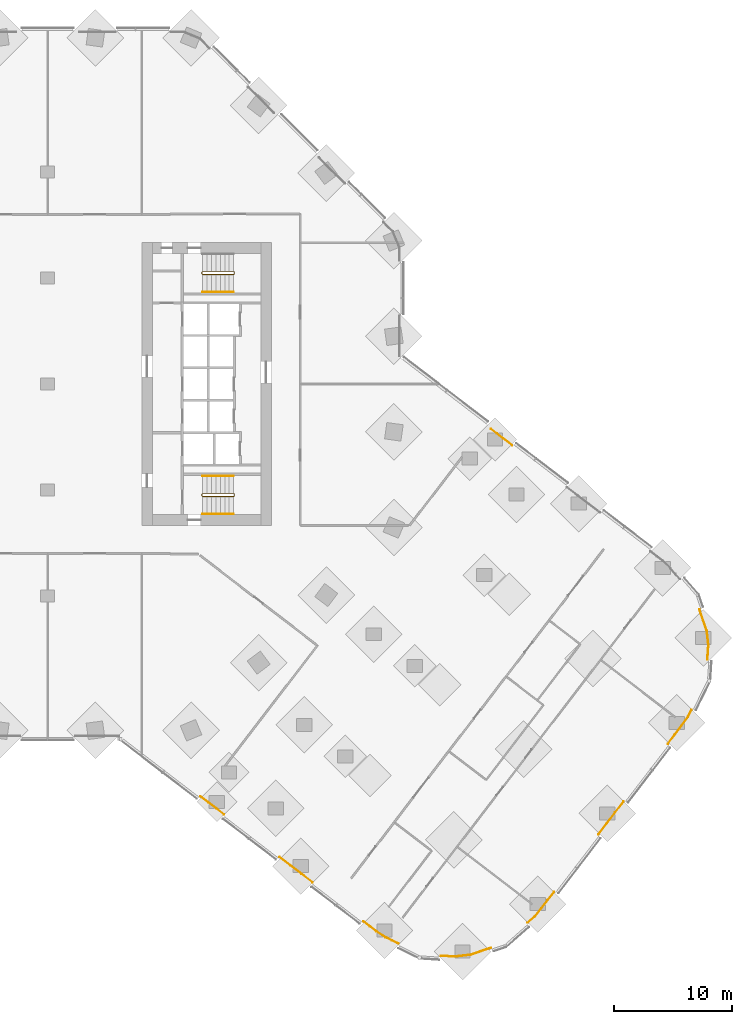
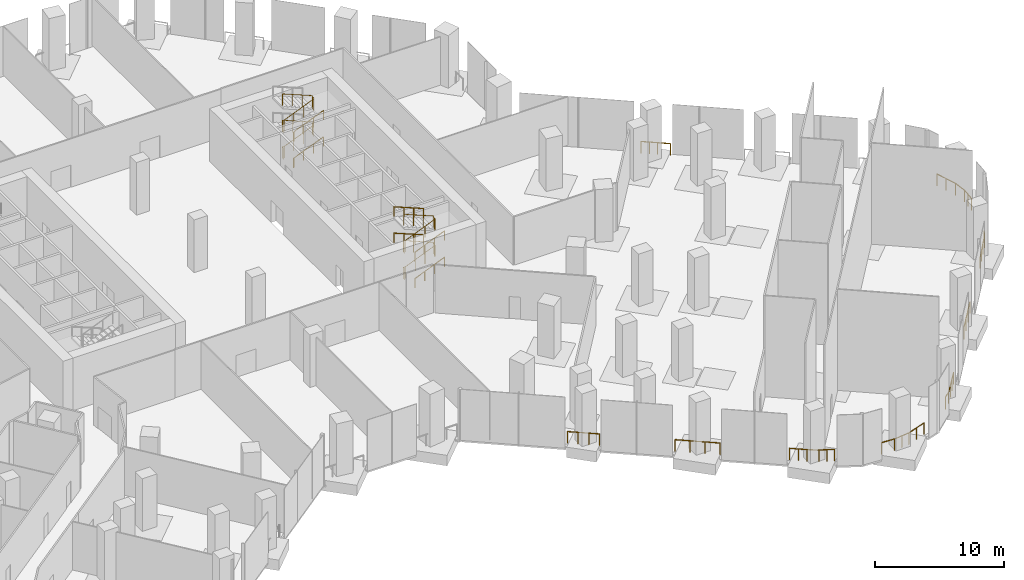
# One storey, part 26 of 27: 18 railings.
"""IFC4 building model written with IfcOpenShell, lengths in metres."""

from ifc_helpers import new_model, si_unit, direction, frame, origin, origin_2d, place, context, subcontext, project, spatial, circle, extrude, material, type_object, element, save


model = new_model("IFC4")

# Units and contexts
model_context = context("Model", 3, precision=1e-05, world=origin(), true_north=direction((0.0, 1.0)))
body_context = subcontext(model_context, "Body", "Model", "MODEL_VIEW")
ifc_project = project(units=[si_unit("LENGTHUNIT", "METRE"), si_unit("AREAUNIT", "SQUARE_METRE"), si_unit("VOLUMEUNIT", "CUBIC_METRE"), si_unit("PLANEANGLEUNIT", "RADIAN"), si_unit("MASSUNIT", "GRAM", prefix="KILO")], contexts=[model_context])

# Site, building, storey
site_placement = place(None, origin())
site = spatial("IfcSite", under=ifc_project, at=site_placement, CompositionType="ELEMENT")
building_placement = place(site_placement, origin())
building = spatial("IfcBuilding", under=site, at=building_placement, Name="Orlundy Tower", CompositionType="ELEMENT")
storey_placement = place(building_placement, frame((0.0, 0.0, 10.5)))
storey = spatial("IfcBuildingStorey", under=building, at=storey_placement, Name="L01", CompositionType="ELEMENT", Elevation=10.5)

# Railings
ifc_material_1 = material(Name="Steel balustrade", Category="steel")
railing_type_1 = type_object("IfcRailingType", Name="Stair Guard 1100", PredefinedType="GUARDRAIL", material=ifc_material_1)
railing_1_placement = place(storey_placement, frame((13.090087890625, -9.5, 0.0)))
element("IfcRailing", 1, at=railing_1_placement, inside=storey, type_object=railing_type_1, Name="L01 ST-E1 stair guard 1", PredefinedType="GUARDRAIL", context=body_context, shape_type="SweptSolid", body=[
    extrude(circle(Radius=0.02392578125, at=origin_2d()), frame((0.0, 0.0, 1.076171875), z_axis=(0.0, 1.0, 0.0), x_axis=(-1.0, 0.0, 0.0)), (0.0, 0.0, 1.0), 0.14990234375),
    extrude(circle(Radius=0.02392578125, at=origin_2d()), frame((0.0, 0.14990234375, 1.076171875), z_axis=(0.192591976565, -0.773200141208, 0.604210122556), x_axis=(0.970351222016, 0.241699205484, 0.0)), (0.0, 0.0, 1.0), 0.258544921875),
    extrude(circle(Radius=0.02392578125, at=origin_2d()), frame((0.0498046875, -0.050048828125, 1.232421875), z_axis=(0.924874861033, 0.0, 0.380271602187), x_axis=(0.0, 1.0, 0.0)), (0.0, 0.0, 1.0), 2.876220703125),
    extrude(circle(Radius=0.02392578125, at=origin_2d()), frame((2.7099609375, -0.050048828125, 2.326171875), z_axis=(0.707106781187, 0.707106781187, 0.0), x_axis=(-0.707106781187, 0.707106781187, 0.0)), (0.0, 0.0, 1.0), 0.07080078125),
    extrude(circle(Radius=0.02392578125, at=origin_2d()), frame((2.760009765625, 0.0, 2.326171875), z_axis=(0.0, 1.0, 0.0), x_axis=(-1.0, 0.0, 0.0)), (0.0, 0.0, 1.0), 0.14990234375),
    extrude(circle(Radius=0.02392578125, at=origin_2d()), frame((2.760009765625, 0.14990234375, 2.326171875), z_axis=(-0.29177245553, 0.29177245553, 0.91089937336), x_axis=(-0.707106781187, -0.707106781187, 0.0)), (0.0, 0.0, 1.0), 0.171630859375),
    extrude(circle(Radius=0.02392578125, at=origin_2d()), frame((2.7099609375, 0.199951171875, 2.482421875), z_axis=(-0.924874861033, 0.0, 0.380271602187), x_axis=(0.0, -1.0, 0.0)), (0.0, 0.0, 1.0), 2.876220703125),
    extrude(circle(Radius=0.02392578125, at=origin_2d()), frame((0.0498046875, 0.199951171875, 3.576171875), z_axis=(-0.241699205484, -0.970351222016, 0.0), x_axis=(0.970351222016, -0.241699205484, 0.0)), (0.0, 0.0, 1.0), 0.2060546875),
    extrude(circle(Radius=0.02392578125, at=origin_2d()), frame((0.0, 0.0, 3.576171875), z_axis=(0.0, 1.0, 0.0), x_axis=(-1.0, 0.0, 0.0)), (0.0, 0.0, 1.0), 0.14990234375),
    extrude(circle(Radius=0.02392578125, at=origin_2d()), frame((0.0, 0.14990234375, 3.576171875), z_axis=(0.192591976565, -0.773200141208, 0.604210122556), x_axis=(0.970351222016, 0.241699205484, 0.0)), (0.0, 0.0, 1.0), 0.258544921875),
    extrude(circle(Radius=0.02392578125, at=origin_2d()), frame((0.0498046875, -0.050048828125, 3.732421875), z_axis=(0.924874861033, 0.0, 0.380271602187), x_axis=(0.0, 1.0, 0.0)), (0.0, 0.0, 1.0), 2.876220703125),
    extrude(circle(Radius=0.02392578125, at=origin_2d()), frame((2.7099609375, -0.050048828125, 4.826171875), z_axis=(0.707106781187, 0.707106781187, 0.0), x_axis=(-0.707106781187, 0.707106781187, 0.0)), (0.0, 0.0, 1.0), 0.07080078125),
    extrude(circle(Radius=0.02392578125, at=origin_2d()), frame((2.760009765625, 0.0, 4.826171875), z_axis=(0.0, 1.0, 0.0), x_axis=(-1.0, 0.0, 0.0)), (0.0, 0.0, 1.0), 0.14990234375),
    extrude(circle(Radius=0.02392578125, at=origin_2d()), frame((2.760009765625, 0.14990234375, 4.826171875), z_axis=(-0.29177245553, 0.29177245553, 0.91089937336), x_axis=(-0.707106781187, -0.707106781187, 0.0)), (0.0, 0.0, 1.0), 0.171630859375),
    extrude(circle(Radius=0.02392578125, at=origin_2d()), frame((2.7099609375, 0.199951171875, 4.982421875), z_axis=(-0.924874861033, 0.0, 0.380271602187), x_axis=(0.0, -1.0, 0.0)), (0.0, 0.0, 1.0), 2.876220703125),
    extrude(circle(Radius=0.02099609375, at=origin_2d()), origin(), (0.0, 0.0, 1.0), 1.052001953125),
    extrude(circle(Radius=0.02099609375, at=origin_2d()), frame((0.0, 0.14990234375, 0.0)), (0.0, 0.0, 1.0), 1.052001953125),
    extrude(circle(Radius=0.02099609375, at=origin_2d()), frame((0.0498046875, -0.050048828125, 0.15625)), (0.0, 0.0, 1.0), 1.052001953125),
    extrude(circle(Radius=0.02099609375, at=origin_2d()), frame((0.9365234375, -0.050048828125, 0.520751953125)), (0.0, 0.0, 1.0), 1.052001953125),
    extrude(circle(Radius=0.02099609375, at=origin_2d()), frame((1.8232421875, -0.050048828125, 0.885498046875)), (0.0, 0.0, 1.0), 1.052001953125),
    extrude(circle(Radius=0.02099609375, at=origin_2d()), frame((2.7099609375, -0.050048828125, 1.25)), (0.0, 0.0, 1.0), 1.052001953125),
    extrude(circle(Radius=0.02099609375, at=origin_2d()), frame((2.760009765625, 0.0, 1.25)), (0.0, 0.0, 1.0), 1.052001953125),
    extrude(circle(Radius=0.02099609375, at=origin_2d()), frame((2.760009765625, 0.14990234375, 1.25)), (0.0, 0.0, 1.0), 1.052001953125),
    extrude(circle(Radius=0.02099609375, at=origin_2d()), frame((2.7099609375, 0.199951171875, 1.40625)), (0.0, 0.0, 1.0), 1.052001953125),
    extrude(circle(Radius=0.02099609375, at=origin_2d()), frame((1.8232421875, 0.199951171875, 1.770751953125)), (0.0, 0.0, 1.0), 1.052001953125),
    extrude(circle(Radius=0.02099609375, at=origin_2d()), frame((0.9365234375, 0.199951171875, 2.135498046875)), (0.0, 0.0, 1.0), 1.052001953125),
    extrude(circle(Radius=0.02099609375, at=origin_2d()), frame((0.0498046875, 0.199951171875, 2.5)), (0.0, 0.0, 1.0), 1.052001953125),
    extrude(circle(Radius=0.02099609375, at=origin_2d()), frame((0.0, 0.0, 2.5)), (0.0, 0.0, 1.0), 1.052001953125),
    extrude(circle(Radius=0.02099609375, at=origin_2d()), frame((0.0, 0.14990234375, 2.5)), (0.0, 0.0, 1.0), 1.052001953125),
    extrude(circle(Radius=0.02099609375, at=origin_2d()), frame((0.0498046875, -0.050048828125, 2.65625)), (0.0, 0.0, 1.0), 1.052001953125),
    extrude(circle(Radius=0.02099609375, at=origin_2d()), frame((0.9365234375, -0.050048828125, 3.020751953125)), (0.0, 0.0, 1.0), 1.052001953125),
    extrude(circle(Radius=0.02099609375, at=origin_2d()), frame((1.8232421875, -0.050048828125, 3.385498046875)), (0.0, 0.0, 1.0), 1.052001953125),
    extrude(circle(Radius=0.02099609375, at=origin_2d()), frame((2.7099609375, -0.050048828125, 3.75)), (0.0, 0.0, 1.0), 1.052001953125),
    extrude(circle(Radius=0.02099609375, at=origin_2d()), frame((2.760009765625, 0.0, 3.75)), (0.0, 0.0, 1.0), 1.052001953125),
    extrude(circle(Radius=0.02099609375, at=origin_2d()), frame((2.760009765625, 0.14990234375, 3.75)), (0.0, 0.0, 1.0), 1.052001953125),
    extrude(circle(Radius=0.02099609375, at=origin_2d()), frame((2.7099609375, 0.199951171875, 3.90625)), (0.0, 0.0, 1.0), 1.052001953125),
    extrude(circle(Radius=0.02099609375, at=origin_2d()), frame((1.8232421875, 0.199951171875, 4.270751953125)), (0.0, 0.0, 1.0), 1.052001953125),
    extrude(circle(Radius=0.02099609375, at=origin_2d()), frame((0.9365234375, 0.199951171875, 4.635498046875)), (0.0, 0.0, 1.0), 1.052001953125),
    extrude(circle(Radius=0.02099609375, at=origin_2d()), frame((0.0498046875, 0.199951171875, 5.0)), (0.0, 0.0, 1.0), 1.052001953125),
])
railing_2_placement = place(storey_placement, frame((13.090087890625, 9.35009765625, 0.0)))
element("IfcRailing", 2, at=railing_2_placement, inside=storey, type_object=railing_type_1, Name="L01 ST-E2 stair guard 1", PredefinedType="GUARDRAIL", context=body_context, shape_type="SweptSolid", body=[
    extrude(circle(Radius=0.02392578125, at=origin_2d()), frame((0.0, 0.0, 1.076171875), z_axis=(0.0, 1.0, 0.0), x_axis=(-1.0, 0.0, 0.0)), (0.0, 0.0, 1.0), 0.14990234375),
    extrude(circle(Radius=0.02392578125, at=origin_2d()), frame((0.0, 0.14990234375, 1.076171875), z_axis=(0.192591976565, -0.773200141208, 0.604210122556), x_axis=(0.970351222016, 0.241699205484, 0.0)), (0.0, 0.0, 1.0), 0.258544921875),
    extrude(circle(Radius=0.02392578125, at=origin_2d()), frame((0.0498046875, -0.050048828125, 1.232421875), z_axis=(0.924874861033, 0.0, 0.380271602187), x_axis=(0.0, 1.0, 0.0)), (0.0, 0.0, 1.0), 2.876220703125),
    extrude(circle(Radius=0.02392578125, at=origin_2d()), frame((2.7099609375, -0.050048828125, 2.326171875), z_axis=(0.707106781187, 0.707106781187, 0.0), x_axis=(-0.707106781187, 0.707106781187, 0.0)), (0.0, 0.0, 1.0), 0.07080078125),
    extrude(circle(Radius=0.02392578125, at=origin_2d()), frame((2.760009765625, 0.0, 2.326171875), z_axis=(0.0, 1.0, 0.0), x_axis=(-1.0, 0.0, 0.0)), (0.0, 0.0, 1.0), 0.14990234375),
    extrude(circle(Radius=0.02392578125, at=origin_2d()), frame((2.760009765625, 0.14990234375, 2.326171875), z_axis=(-0.29177245553, 0.29177245553, 0.91089937336), x_axis=(-0.707106781187, -0.707106781187, 0.0)), (0.0, 0.0, 1.0), 0.171630859375),
    extrude(circle(Radius=0.02392578125, at=origin_2d()), frame((2.7099609375, 0.199951171875, 2.482421875), z_axis=(-0.924874861033, 0.0, 0.380271602187), x_axis=(0.0, -1.0, 0.0)), (0.0, 0.0, 1.0), 2.876220703125),
    extrude(circle(Radius=0.02392578125, at=origin_2d()), frame((0.0498046875, 0.199951171875, 3.576171875), z_axis=(-0.241699205484, -0.970351222016, 0.0), x_axis=(0.970351222016, -0.241699205484, 0.0)), (0.0, 0.0, 1.0), 0.2060546875),
    extrude(circle(Radius=0.02392578125, at=origin_2d()), frame((0.0, 0.0, 3.576171875), z_axis=(0.0, 1.0, 0.0), x_axis=(-1.0, 0.0, 0.0)), (0.0, 0.0, 1.0), 0.14990234375),
    extrude(circle(Radius=0.02392578125, at=origin_2d()), frame((0.0, 0.14990234375, 3.576171875), z_axis=(0.192591976565, -0.773200141208, 0.604210122556), x_axis=(0.970351222016, 0.241699205484, 0.0)), (0.0, 0.0, 1.0), 0.258544921875),
    extrude(circle(Radius=0.02392578125, at=origin_2d()), frame((0.0498046875, -0.050048828125, 3.732421875), z_axis=(0.924874861033, 0.0, 0.380271602187), x_axis=(0.0, 1.0, 0.0)), (0.0, 0.0, 1.0), 2.876220703125),
    extrude(circle(Radius=0.02392578125, at=origin_2d()), frame((2.7099609375, -0.050048828125, 4.826171875), z_axis=(0.707106781187, 0.707106781187, 0.0), x_axis=(-0.707106781187, 0.707106781187, 0.0)), (0.0, 0.0, 1.0), 0.07080078125),
    extrude(circle(Radius=0.02392578125, at=origin_2d()), frame((2.760009765625, 0.0, 4.826171875), z_axis=(0.0, 1.0, 0.0), x_axis=(-1.0, 0.0, 0.0)), (0.0, 0.0, 1.0), 0.14990234375),
    extrude(circle(Radius=0.02392578125, at=origin_2d()), frame((2.760009765625, 0.14990234375, 4.826171875), z_axis=(-0.29177245553, 0.29177245553, 0.91089937336), x_axis=(-0.707106781187, -0.707106781187, 0.0)), (0.0, 0.0, 1.0), 0.171630859375),
    extrude(circle(Radius=0.02392578125, at=origin_2d()), frame((2.7099609375, 0.199951171875, 4.982421875), z_axis=(-0.924874861033, 0.0, 0.380271602187), x_axis=(0.0, -1.0, 0.0)), (0.0, 0.0, 1.0), 2.876220703125),
    extrude(circle(Radius=0.02099609375, at=origin_2d()), origin(), (0.0, 0.0, 1.0), 1.052001953125),
    extrude(circle(Radius=0.02099609375, at=origin_2d()), frame((0.0, 0.14990234375, 0.0)), (0.0, 0.0, 1.0), 1.052001953125),
    extrude(circle(Radius=0.02099609375, at=origin_2d()), frame((0.0498046875, -0.050048828125, 0.15625)), (0.0, 0.0, 1.0), 1.052001953125),
    extrude(circle(Radius=0.02099609375, at=origin_2d()), frame((0.9365234375, -0.050048828125, 0.520751953125)), (0.0, 0.0, 1.0), 1.052001953125),
    extrude(circle(Radius=0.02099609375, at=origin_2d()), frame((1.8232421875, -0.050048828125, 0.885498046875)), (0.0, 0.0, 1.0), 1.052001953125),
    extrude(circle(Radius=0.02099609375, at=origin_2d()), frame((2.7099609375, -0.050048828125, 1.25)), (0.0, 0.0, 1.0), 1.052001953125),
    extrude(circle(Radius=0.02099609375, at=origin_2d()), frame((2.760009765625, 0.0, 1.25)), (0.0, 0.0, 1.0), 1.052001953125),
    extrude(circle(Radius=0.02099609375, at=origin_2d()), frame((2.760009765625, 0.14990234375, 1.25)), (0.0, 0.0, 1.0), 1.052001953125),
    extrude(circle(Radius=0.02099609375, at=origin_2d()), frame((2.7099609375, 0.199951171875, 1.40625)), (0.0, 0.0, 1.0), 1.052001953125),
    extrude(circle(Radius=0.02099609375, at=origin_2d()), frame((1.8232421875, 0.199951171875, 1.770751953125)), (0.0, 0.0, 1.0), 1.052001953125),
    extrude(circle(Radius=0.02099609375, at=origin_2d()), frame((0.9365234375, 0.199951171875, 2.135498046875)), (0.0, 0.0, 1.0), 1.052001953125),
    extrude(circle(Radius=0.02099609375, at=origin_2d()), frame((0.0498046875, 0.199951171875, 2.5)), (0.0, 0.0, 1.0), 1.052001953125),
    extrude(circle(Radius=0.02099609375, at=origin_2d()), frame((0.0, 0.0, 2.5)), (0.0, 0.0, 1.0), 1.052001953125),
    extrude(circle(Radius=0.02099609375, at=origin_2d()), frame((0.0, 0.14990234375, 2.5)), (0.0, 0.0, 1.0), 1.052001953125),
    extrude(circle(Radius=0.02099609375, at=origin_2d()), frame((0.0498046875, -0.050048828125, 2.65625)), (0.0, 0.0, 1.0), 1.052001953125),
    extrude(circle(Radius=0.02099609375, at=origin_2d()), frame((0.9365234375, -0.050048828125, 3.020751953125)), (0.0, 0.0, 1.0), 1.052001953125),
    extrude(circle(Radius=0.02099609375, at=origin_2d()), frame((1.8232421875, -0.050048828125, 3.385498046875)), (0.0, 0.0, 1.0), 1.052001953125),
    extrude(circle(Radius=0.02099609375, at=origin_2d()), frame((2.7099609375, -0.050048828125, 3.75)), (0.0, 0.0, 1.0), 1.052001953125),
    extrude(circle(Radius=0.02099609375, at=origin_2d()), frame((2.760009765625, 0.0, 3.75)), (0.0, 0.0, 1.0), 1.052001953125),
    extrude(circle(Radius=0.02099609375, at=origin_2d()), frame((2.760009765625, 0.14990234375, 3.75)), (0.0, 0.0, 1.0), 1.052001953125),
    extrude(circle(Radius=0.02099609375, at=origin_2d()), frame((2.7099609375, 0.199951171875, 3.90625)), (0.0, 0.0, 1.0), 1.052001953125),
    extrude(circle(Radius=0.02099609375, at=origin_2d()), frame((1.8232421875, 0.199951171875, 4.270751953125)), (0.0, 0.0, 1.0), 1.052001953125),
    extrude(circle(Radius=0.02099609375, at=origin_2d()), frame((0.9365234375, 0.199951171875, 4.635498046875)), (0.0, 0.0, 1.0), 1.052001953125),
    extrude(circle(Radius=0.02099609375, at=origin_2d()), frame((0.0498046875, 0.199951171875, 5.0)), (0.0, 0.0, 1.0), 1.052001953125),
])
ifc_material_2 = material(Name="Steel handrail", Category="steel")
railing_type_2 = type_object("IfcRailingType", Name="Stair Handrail 900", PredefinedType="HANDRAIL", material=ifc_material_2)
railing_3_placement = place(storey_placement, frame((13.139892578125, -11.050048828125, 0.15625)))
element("IfcRailing", 3, at=railing_3_placement, inside=storey, type_object=railing_type_2, Name="L01 ST-E1 stair handrail 1", PredefinedType="HANDRAIL", context=body_context, shape_type="SweptSolid", body=[
    extrude(circle(Radius=0.02392578125, at=origin_2d()), frame((0.0, 0.0, 0.8759765625), z_axis=(0.924874861033, 0.0, 0.380271602187), x_axis=(0.0, 1.0, 0.0)), (0.0, 0.0, 1.0), 2.876220703125),
    extrude(circle(Radius=0.02099609375, at=origin_2d()), origin(), (0.0, 0.0, 1.0), 0.851806640625),
    extrude(circle(Radius=0.02099609375, at=origin_2d()), frame((0.88671875, 0.0, 0.364501953125)), (0.0, 0.0, 1.0), 0.851806640625),
    extrude(circle(Radius=0.02099609375, at=origin_2d()), frame((1.7734375, 0.0, 0.729248046875)), (0.0, 0.0, 1.0), 0.851806640625),
    extrude(circle(Radius=0.02099609375, at=origin_2d()), frame((2.66015625, 0.0, 1.09375)), (0.0, 0.0, 1.0), 0.851806640625),
])
railing_4_placement = place(storey_placement, frame((15.800048828125, -7.800048828125, 1.40625)))
element("IfcRailing", 4, at=railing_4_placement, inside=storey, type_object=railing_type_2, Name="L01 ST-E1 stair handrail 2", PredefinedType="HANDRAIL", context=body_context, shape_type="SweptSolid", body=[
    extrude(circle(Radius=0.02392578125, at=origin_2d()), frame((0.0, 0.0, 0.8759765625), z_axis=(-0.924874861033, 0.0, 0.380271602187), x_axis=(0.0, -1.0, 0.0)), (0.0, 0.0, 1.0), 2.876220703125),
    extrude(circle(Radius=0.02099609375, at=origin_2d()), origin(), (0.0, 0.0, 1.0), 0.851806640625),
    extrude(circle(Radius=0.02099609375, at=origin_2d()), frame((-0.88671875, 0.0, 0.364501953125)), (0.0, 0.0, 1.0), 0.851806640625),
    extrude(circle(Radius=0.02099609375, at=origin_2d()), frame((-1.7734375, 0.0, 0.729248046875)), (0.0, 0.0, 1.0), 0.851806640625),
    extrude(circle(Radius=0.02099609375, at=origin_2d()), frame((-2.66015625, 0.0, 1.09375)), (0.0, 0.0, 1.0), 0.851806640625),
])
railing_5_placement = place(storey_placement, frame((13.139892578125, -11.050048828125, 2.65625)))
element("IfcRailing", 5, at=railing_5_placement, inside=storey, type_object=railing_type_2, Name="L01 ST-E1 stair handrail 3", PredefinedType="HANDRAIL", context=body_context, shape_type="SweptSolid", body=[
    extrude(circle(Radius=0.02392578125, at=origin_2d()), frame((0.0, 0.0, 0.8759765625), z_axis=(0.924874861033, 0.0, 0.380271602187), x_axis=(0.0, 1.0, 0.0)), (0.0, 0.0, 1.0), 2.876220703125),
    extrude(circle(Radius=0.02099609375, at=origin_2d()), origin(), (0.0, 0.0, 1.0), 0.851806640625),
    extrude(circle(Radius=0.02099609375, at=origin_2d()), frame((0.88671875, 0.0, 0.364501953125)), (0.0, 0.0, 1.0), 0.851806640625),
    extrude(circle(Radius=0.02099609375, at=origin_2d()), frame((1.7734375, 0.0, 0.729248046875)), (0.0, 0.0, 1.0), 0.851806640625),
    extrude(circle(Radius=0.02099609375, at=origin_2d()), frame((2.66015625, 0.0, 1.09375)), (0.0, 0.0, 1.0), 0.851806640625),
])
railing_6_placement = place(storey_placement, frame((15.800048828125, -7.800048828125, 3.90625)))
element("IfcRailing", 6, at=railing_6_placement, inside=storey, type_object=railing_type_2, Name="L01 ST-E1 stair handrail 4", PredefinedType="HANDRAIL", context=body_context, shape_type="SweptSolid", body=[
    extrude(circle(Radius=0.02392578125, at=origin_2d()), frame((0.0, 0.0, 0.8759765625), z_axis=(-0.924874861033, 0.0, 0.380271602187), x_axis=(0.0, -1.0, 0.0)), (0.0, 0.0, 1.0), 2.876220703125),
    extrude(circle(Radius=0.02099609375, at=origin_2d()), origin(), (0.0, 0.0, 1.0), 0.851806640625),
    extrude(circle(Radius=0.02099609375, at=origin_2d()), frame((-0.88671875, 0.0, 0.364501953125)), (0.0, 0.0, 1.0), 0.851806640625),
    extrude(circle(Radius=0.02099609375, at=origin_2d()), frame((-1.7734375, 0.0, 0.729248046875)), (0.0, 0.0, 1.0), 0.851806640625),
    extrude(circle(Radius=0.02099609375, at=origin_2d()), frame((-2.66015625, 0.0, 1.09375)), (0.0, 0.0, 1.0), 0.851806640625),
])
for number, where, name in (
    (7, (13.139892578125, 7.800048828125, 0.15625), "L01 ST-E2 stair handrail 1"),
    (8, (13.139892578125, 7.800048828125, 2.65625), "L01 ST-E2 stair handrail 3"),
):
    element("IfcRailing", number, at=place(storey_placement, frame(where)), inside=storey, type_object=railing_type_2, Name=name, PredefinedType="HANDRAIL", context=body_context, shape_type="SweptSolid", body=[
        extrude(circle(Radius=0.02392578125, at=origin_2d()), frame((0.0, 0.0, 0.8759765625), z_axis=(0.924874861033, 0.0, 0.380271602187), x_axis=(0.0, 1.0, 0.0)), (0.0, 0.0, 1.0), 2.876220703125),
        extrude(circle(Radius=0.02099609375, at=origin_2d()), origin(), (0.0, 0.0, 1.0), 0.851806640625),
        extrude(circle(Radius=0.02099609375, at=origin_2d()), frame((0.88671875, 0.0, 0.364501953125)), (0.0, 0.0, 1.0), 0.851806640625),
        extrude(circle(Radius=0.02099609375, at=origin_2d()), frame((1.7734375, 0.0, 0.729248046875)), (0.0, 0.0, 1.0), 0.851806640625),
        extrude(circle(Radius=0.02099609375, at=origin_2d()), frame((2.66015625, 0.0, 1.09375)), (0.0, 0.0, 1.0), 0.851806640625),
    ])
ifc_material_3 = material(Name="Stainless steel bronze finish", Category="steel")
railing_type_3 = type_object("IfcRailingType", Name="TG1 terrace guard", PredefinedType="GUARDRAIL", material=ifc_material_3)
railing_7_placement = place(storey_placement, frame((55.357666015625, -19.157958984375, 0.0)))
element("IfcRailing", 9, at=railing_7_placement, inside=storey, type_object=railing_type_3, Name="Guard TG-L01-E01", PredefinedType="GUARDRAIL", context=body_context, shape_type="SweptSolid", body=[
    extrude(circle(Radius=0.02490234375, at=origin_2d()), frame((0.0, 0.0, 1.09521484375), z_axis=(0.321603947142, -0.946874279502, 0.0), x_axis=(0.946874279502, 0.321603947142, 0.0)), (0.0, 0.0, 1.0), 1.919189453125),
    extrude(circle(Radius=0.02490234375, at=origin_2d()), frame((0.6171875, -1.817138671875, 1.09521484375), z_axis=(0.114378067766, -0.993437294254, 0.0), x_axis=(0.993437294254, 0.114378067766, 0.0)), (0.0, 0.0, 1.0), 1.16748046875),
    extrude(circle(Radius=0.02490234375, at=origin_2d()), frame((0.750732421875, -2.97705078125, 1.09521484375), z_axis=(-0.065596250514, -0.997846246632, 0.0), x_axis=(0.997846246632, -0.065596250514, 0.0)), (0.0, 0.0, 1.0), 1.246826171875),
    extrude(circle(Radius=0.02001953125, at=origin_2d()), origin(), (0.0, 0.0, 1.0), 1.070068359375),
    extrude(circle(Radius=0.02001953125, at=origin_2d()), frame((0.30859375, -0.90869140625, 0.0)), (0.0, 0.0, 1.0), 1.070068359375),
    extrude(circle(Radius=0.02001953125, at=origin_2d()), frame((0.6171875, -1.817138671875, 0.0)), (0.0, 0.0, 1.0), 1.070068359375),
    extrude(circle(Radius=0.02001953125, at=origin_2d()), frame((0.750732421875, -2.97705078125, 0.0)), (0.0, 0.0, 1.0), 1.070068359375),
    extrude(circle(Radius=0.02001953125, at=origin_2d()), frame((0.7099609375, -3.59912109375, 0.0)), (0.0, 0.0, 1.0), 1.070068359375),
    extrude(circle(Radius=0.02001953125, at=origin_2d()), frame((0.6689453125, -4.22119140625, 0.0)), (0.0, 0.0, 1.0), 1.070068359375),
])
railing_8_placement = place(storey_placement, frame((37.6279296875, -47.881591796875, 0.0)))
element("IfcRailing", 10, at=railing_8_placement, inside=storey, type_object=railing_type_3, Name="Guard TG-L01-E03", PredefinedType="GUARDRAIL", context=body_context, shape_type="SweptSolid", body=[
    extrude(circle(Radius=0.02490234375, at=origin_2d()), frame((0.0, 0.0, 1.09521484375), z_axis=(-0.946863796825, -0.321634808846, 0.0), x_axis=(0.321634808846, -0.946863796825, 0.0)), (0.0, 0.0, 1.0), 1.8134765625),
    extrude(circle(Radius=0.02490234375, at=origin_2d()), frame((-1.717041015625, -0.583251953125, 1.09521484375), z_axis=(-0.99305290202, -0.11766874602, 0.0), x_axis=(0.11766874602, -0.99305290202, 0.0)), (0.0, 0.0, 1.0), 1.369384765625),
    extrude(circle(Radius=0.02490234375, at=origin_2d()), frame((-3.076904296875, -0.744384765625, 1.09521484375), z_axis=(-0.997846908478, 0.065586181778, 0.0), x_axis=(-0.065586181778, -0.997846908478, 0.0)), (0.0, 0.0, 1.0), 1.146484375),
    extrude(circle(Radius=0.02001953125, at=origin_2d()), origin(), (0.0, 0.0, 1.0), 1.070068359375),
    extrude(circle(Radius=0.02001953125, at=origin_2d()), frame((-0.8583984375, -0.29150390625, 0.0)), (0.0, 0.0, 1.0), 1.070068359375),
    extrude(circle(Radius=0.02001953125, at=origin_2d()), frame((-1.717041015625, -0.583251953125, 0.0)), (0.0, 0.0, 1.0), 1.070068359375),
    extrude(circle(Radius=0.02001953125, at=origin_2d()), frame((-2.39697265625, -0.663818359375, 0.0)), (0.0, 0.0, 1.0), 1.070068359375),
    extrude(circle(Radius=0.02001953125, at=origin_2d()), frame((-3.076904296875, -0.744384765625, 0.0)), (0.0, 0.0, 1.0), 1.070068359375),
    extrude(circle(Radius=0.02001953125, at=origin_2d()), frame((-4.220947265625, -0.669189453125, 0.0)), (0.0, 0.0, 1.0), 1.070068359375),
])
railing_9_placement = place(storey_placement, frame((29.79638671875, -47.52490234375, 0.0)))
element("IfcRailing", 11, at=railing_9_placement, inside=storey, type_object=railing_type_3, Name="Guard TG-L01-E012", PredefinedType="GUARDRAIL", context=body_context, shape_type="SweptSolid", body=[
    extrude(circle(Radius=0.02490234375, at=origin_2d()), frame((0.0, 0.0, 1.09521484375), z_axis=(-0.896935104238, 0.44216220868, 0.0), x_axis=(-0.44216220868, -0.896935104238, 0.0)), (0.0, 0.0, 1.0), 1.239013671875),
    extrude(circle(Radius=0.02490234375, at=origin_2d()), frame((-1.111328125, 0.5478515625, 1.09521484375), z_axis=(-0.839455449834, 0.543428512082, 0.0), x_axis=(-0.543428512082, -0.839455449834, 0.0)), (0.0, 0.0, 1.0), 0.913818359375),
    extrude(circle(Radius=0.02490234375, at=origin_2d()), frame((-1.87841796875, 1.04443359375, 1.09521484375), z_axis=(-0.793362695079, 0.608749237418, 0.0), x_axis=(-0.608749237418, -0.793362695079, 0.0)), (0.0, 0.0, 1.0), 1.38720703125),
    extrude(circle(Radius=0.02001953125, at=origin_2d()), origin(), (0.0, 0.0, 1.0), 1.070068359375),
    extrude(circle(Radius=0.02001953125, at=origin_2d()), frame((-0.5556640625, 0.27392578125, 0.0)), (0.0, 0.0, 1.0), 1.070068359375),
    extrude(circle(Radius=0.02001953125, at=origin_2d()), frame((-1.111328125, 0.5478515625, 0.0)), (0.0, 0.0, 1.0), 1.070068359375),
    extrude(circle(Radius=0.02001953125, at=origin_2d()), frame((-1.87841796875, 1.04443359375, 0.0)), (0.0, 0.0, 1.0), 1.070068359375),
    extrude(circle(Radius=0.02001953125, at=origin_2d()), frame((-2.4287109375, 1.466796875, 0.0)), (0.0, 0.0, 1.0), 1.070068359375),
    extrude(circle(Radius=0.02001953125, at=origin_2d()), frame((-2.97900390625, 1.888916015625, 0.0)), (0.0, 0.0, 1.0), 1.070068359375),
])
railing_10_placement = place(storey_placement, frame((22.506591796875, -42.328125, 0.0)))
element("IfcRailing", 12, at=railing_10_placement, inside=storey, type_object=railing_type_3, Name="Guard TG-L01-E014", PredefinedType="GUARDRAIL", context=body_context, shape_type="SweptSolid", body=[
    extrude(circle(Radius=0.02490234375, at=origin_2d()), frame((0.0, 0.0, 1.09521484375), z_axis=(-0.793350463988, 0.608765177462, 0.0), x_axis=(-0.608765177462, -0.793350463988, 0.0)), (0.0, 0.0, 1.0), 3.53271484375),
    extrude(circle(Radius=0.02001953125, at=origin_2d()), origin(), (0.0, 0.0, 1.0), 1.070068359375),
    extrude(circle(Radius=0.02001953125, at=origin_2d()), frame((-0.934326171875, 0.716796875, 0.0)), (0.0, 0.0, 1.0), 1.070068359375),
    extrude(circle(Radius=0.02001953125, at=origin_2d()), frame((-1.868408203125, 1.433837890625, 0.0)), (0.0, 0.0, 1.0), 1.070068359375),
    extrude(circle(Radius=0.02001953125, at=origin_2d()), frame((-2.802734375, 2.150634765625, 0.0)), (0.0, 0.0, 1.0), 1.070068359375),
])
railing_11_placement = place(storey_placement, frame((48.911376953125, -35.4423828125, 0.0)))
element("IfcRailing", 13, at=railing_11_placement, inside=storey, type_object=railing_type_3, Name="Guard TG-L01-E015", PredefinedType="GUARDRAIL", context=body_context, shape_type="SweptSolid", body=[
    extrude(circle(Radius=0.02490234375, at=origin_2d()), frame((0.0, 0.0, 1.09521484375), z_axis=(-0.608765177462, -0.793350463988, 0.0), x_axis=(0.793350463988, -0.608765177462, 0.0)), (0.0, 0.0, 1.0), 3.53271484375),
    extrude(circle(Radius=0.02001953125, at=origin_2d()), origin(), (0.0, 0.0, 1.0), 1.070068359375),
    extrude(circle(Radius=0.02001953125, at=origin_2d()), frame((-0.716796875, -0.934326171875, 0.0)), (0.0, 0.0, 1.0), 1.070068359375),
    extrude(circle(Radius=0.02001953125, at=origin_2d()), frame((-1.433837890625, -1.868408203125, 0.0)), (0.0, 0.0, 1.0), 1.070068359375),
    extrude(circle(Radius=0.02001953125, at=origin_2d()), frame((-2.150634765625, -2.802734375, 0.0)), (0.0, 0.0, 1.0), 1.070068359375),
])
railing_12_placement = place(storey_placement, frame((54.661865234375, -27.67724609375, 0.0)))
element("IfcRailing", 14, at=railing_12_placement, inside=storey, type_object=railing_type_3, Name="Guard TG-L01-E017", PredefinedType="GUARDRAIL", context=body_context, shape_type="SweptSolid", body=[
    extrude(circle(Radius=0.02490234375, at=origin_2d()), frame((0.0, 0.0, 1.09521484375), z_axis=(-0.442161684217, -0.896935362783, 0.0), x_axis=(0.896935362783, -0.442161684217, 0.0)), (0.0, 0.0, 1.0), 0.658203125),
    extrude(circle(Radius=0.02490234375, at=origin_2d()), frame((-0.291015625, -0.59033203125, 1.09521484375), z_axis=(-0.59850419209, -0.801119673988, 0.0), x_axis=(0.801119673988, -0.59850419209, 0.0)), (0.0, 0.0, 1.0), 2.848388671875),
    extrude(circle(Radius=0.02001953125, at=origin_2d()), origin(), (0.0, 0.0, 1.0), 1.070068359375),
    extrude(circle(Radius=0.02001953125, at=origin_2d()), frame((-0.291015625, -0.59033203125, 0.0)), (0.0, 0.0, 1.0), 1.070068359375),
    extrude(circle(Radius=0.02001953125, at=origin_2d()), frame((-0.859375, -1.35107421875, 0.0)), (0.0, 0.0, 1.0), 1.070068359375),
    extrude(circle(Radius=0.02001953125, at=origin_2d()), frame((-1.427490234375, -2.111572265625, 0.0)), (0.0, 0.0, 1.0), 1.070068359375),
    extrude(circle(Radius=0.02001953125, at=origin_2d()), frame((-1.995849609375, -2.872314453125, 0.0)), (0.0, 0.0, 1.0), 1.070068359375),
])
railing_13_placement = place(storey_placement, frame((43.006591796875, -43.1376953125, 0.0)))
element("IfcRailing", 15, at=railing_13_placement, inside=storey, type_object=railing_type_3, Name="Guard TG-L01-E019", PredefinedType="GUARDRAIL", context=body_context, shape_type="SweptSolid", body=[
    extrude(circle(Radius=0.02490234375, at=origin_2d()), frame((0.0, 0.0, 1.09521484375), z_axis=(-0.61980379195, -0.784756815507, 0.0), x_axis=(0.784756815507, -0.61980379195, 0.0)), (0.0, 0.0, 1.0), 2.630126953125),
    extrude(circle(Radius=0.02490234375, at=origin_2d()), frame((-1.630126953125, -2.06396484375, 1.09521484375), z_axis=(-0.751895925044, -0.659281819788, 0.0), x_axis=(0.659281819788, -0.751895925044, 0.0)), (0.0, 0.0, 1.0), 0.822509765625),
    extrude(circle(Radius=0.02001953125, at=origin_2d()), origin(), (0.0, 0.0, 1.0), 1.070068359375),
    extrude(circle(Radius=0.02001953125, at=origin_2d()), frame((-0.54345703125, -0.68798828125, 0.0)), (0.0, 0.0, 1.0), 1.070068359375),
    extrude(circle(Radius=0.02001953125, at=origin_2d()), frame((-1.086669921875, -1.3759765625, 0.0)), (0.0, 0.0, 1.0), 1.070068359375),
    extrude(circle(Radius=0.02001953125, at=origin_2d()), frame((-1.630126953125, -2.06396484375, 0.0)), (0.0, 0.0, 1.0), 1.070068359375),
    extrude(circle(Radius=0.02001953125, at=origin_2d()), frame((-2.24853515625, -2.606201171875, 0.0)), (0.0, 0.0, 1.0), 1.070068359375),
])
railing_14_placement = place(storey_placement, frame((38.6708984375, -4.614990234375, 0.0)))
element("IfcRailing", 16, at=railing_14_placement, inside=storey, type_object=railing_type_3, Name="Guard TG-L01-E032", PredefinedType="GUARDRAIL", context=body_context, shape_type="SweptSolid", body=[
    extrude(circle(Radius=0.02490234375, at=origin_2d()), frame((0.0, 0.0, 1.09521484375), z_axis=(-0.793336518063, 0.608783351537, 0.0), x_axis=(-0.608783351537, -0.793336518063, 0.0)), (0.0, 0.0, 1.0), 1.31103515625),
    extrude(circle(Radius=0.02001953125, at=origin_2d()), origin(), (0.0, 0.0, 1.0), 1.070068359375),
    extrude(circle(Radius=0.02001953125, at=origin_2d()), frame((-0.52001953125, 0.39892578125, 0.0)), (0.0, 0.0, 1.0), 1.070068359375),
    extrude(circle(Radius=0.02001953125, at=origin_2d()), frame((-1.0400390625, 0.798095703125, 0.0)), (0.0, 0.0, 1.0), 1.070068359375),
])
railing_15_placement = place(storey_placement, frame((14.992919921875, -36.562744140625, 0.0)))
element("IfcRailing", 17, at=railing_15_placement, inside=storey, type_object=railing_type_3, Name="Guard TG-L01-E033", PredefinedType="GUARDRAIL", context=body_context, shape_type="SweptSolid", body=[
    extrude(circle(Radius=0.02490234375, at=origin_2d()), frame((0.0, 0.0, 1.09521484375), z_axis=(-0.793335399531, 0.60878480915, 0.0), x_axis=(-0.60878480915, -0.793335399531, 0.0)), (0.0, 0.0, 1.0), 2.524169921875),
    extrude(circle(Radius=0.02001953125, at=origin_2d()), origin(), (0.0, 0.0, 1.0), 1.070068359375),
    extrude(circle(Radius=0.02001953125, at=origin_2d()), frame((-0.66748046875, 0.51220703125, 0.0)), (0.0, 0.0, 1.0), 1.070068359375),
    extrude(circle(Radius=0.02001953125, at=origin_2d()), frame((-1.3349609375, 1.0244140625, 0.0)), (0.0, 0.0, 1.0), 1.070068359375),
    extrude(circle(Radius=0.02001953125, at=origin_2d()), frame((-2.00244140625, 1.53662109375, 0.0)), (0.0, 0.0, 1.0), 1.070068359375),
])
railing_16_placement = place(storey_placement, frame((38.6708984375, -4.614990234375, 0.0)))
element("IfcRailing", 18, at=railing_16_placement, inside=storey, type_object=railing_type_3, Name="Guard TG-L01-E038", PredefinedType="GUARDRAIL", context=body_context, shape_type="SweptSolid", body=[
    extrude(circle(Radius=0.02490234375, at=origin_2d()), frame((0.0, 0.0, 1.09521484375), z_axis=(0.793398544666, -0.608702512991, 0.0), x_axis=(0.608702512991, 0.793398544666, 0.0)), (0.0, 0.0, 1.0), 0.9833984375),
    extrude(circle(Radius=0.02001953125, at=origin_2d()), origin(), (0.0, 0.0, 1.0), 1.070068359375),
    extrude(circle(Radius=0.02001953125, at=origin_2d()), frame((0.7802734375, -0.5986328125, 0.0)), (0.0, 0.0, 1.0), 1.070068359375),
])

save(model, "model.ifc")
